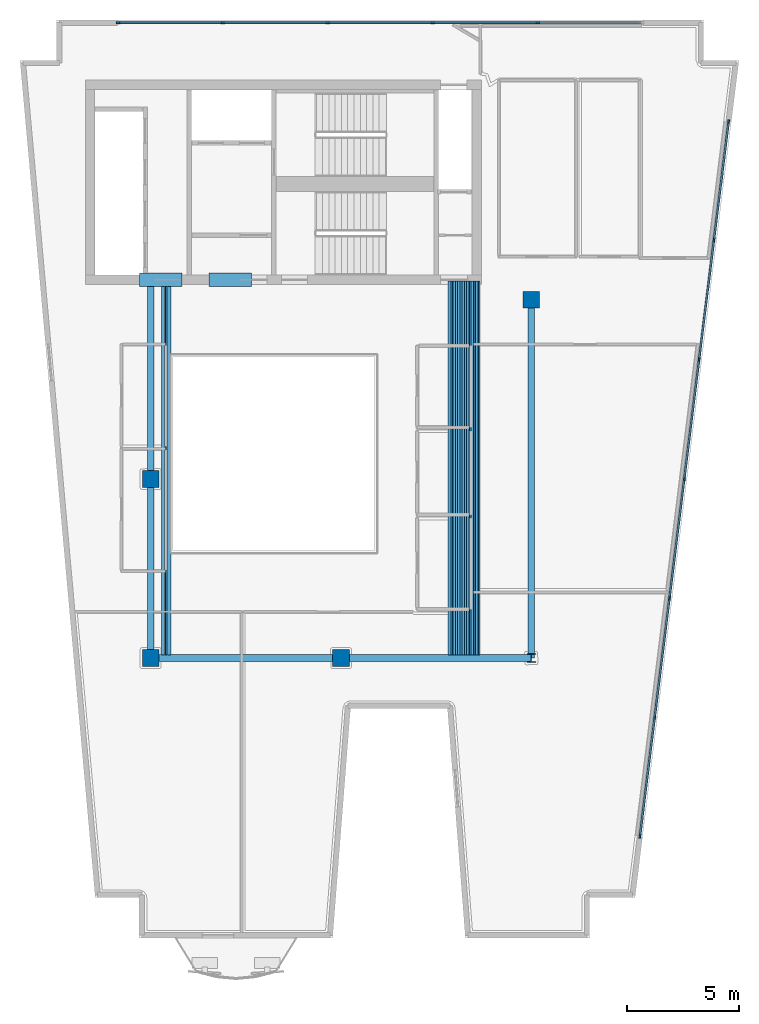
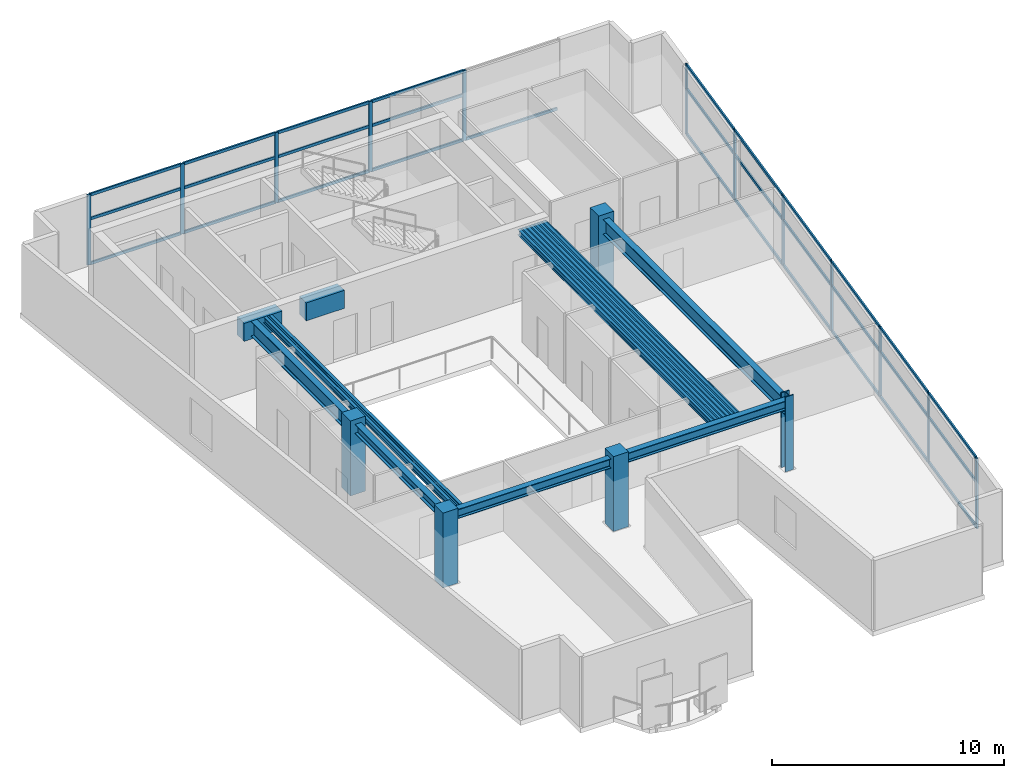
# One storey, part 1 of 8: 43 members, 24 beams, 5 columns, 2 elements without a shape of their own.
"""IFC4 building model written with IfcOpenShell, lengths in metres."""

from ifc_helpers import new_model, si_unit, direction, frame, origin, origin_2d, place, context, subcontext, project, spatial, rectangle, hollow_rectangle, i_section, extrude, material, layer, layer_set, material_profile, profile_set, type_object, element, aggregate, save


model = new_model("IFC4")

# Units and contexts
model_context = context("Model", 3, precision=1e-05, world=origin(), true_north=direction((0.0, 1.0)))
body_context = subcontext(model_context, "Body", "Model", "MODEL_VIEW")
ifc_project = project(units=[si_unit("LENGTHUNIT", "METRE"), si_unit("AREAUNIT", "SQUARE_METRE"), si_unit("VOLUMEUNIT", "CUBIC_METRE"), si_unit("PLANEANGLEUNIT", "RADIAN"), si_unit("MASSUNIT", "GRAM", prefix="KILO")], contexts=[model_context])

# Site, building, storey
site_placement = place(None, origin())
site = spatial("IfcSite", under=ifc_project, at=site_placement, CompositionType="ELEMENT")
building_placement = place(site_placement, origin())
building = spatial("IfcBuilding", under=site, at=building_placement, Name="Caeloran Harvest Quay", CompositionType="ELEMENT")
storey_placement = place(building_placement, frame((0.0, 0.0, 260.64990234375)))
storey = spatial("IfcBuildingStorey", under=building, at=storey_placement, Name="L62", CompositionType="ELEMENT", Elevation=260.64990234375)

# Columns
ifc_material_1 = material(Name="Concrete C60/75", Category="concrete")
ifc_material_profile_1 = material_profile(ifc_material_1, rectangle(XDim=0.75, YDim=0.75, at=origin_2d()), Name="RC 750x750")
ifc_profile_set_1 = profile_set([ifc_material_profile_1], Name="Concrete C60/75")
column_type_1 = type_object("IfcColumnType", Name="COL-MC-5-RC_750x750", PredefinedType="COLUMN", material=ifc_profile_set_1)
for number, where, z_axis, x_axis, name in (
    (1, (8.5, 15.0, 0.0), (0.0, 0.0, 1.0), (1.0, 0.0, 0.0), "L62 Structural Column (8.5, 15.0)"),
    (2, (8.5, 23.0, 0.0), (0.0, 0.0, 1.0), (1.0, 0.0, 0.0), "L62 Structural Column (8.5, 23.0)"),
    (3, (17.0, 15.0, 0.0), (0.0, 0.0, 1.0), (1.0, 0.0, 0.0), "L62 Structural Column (17.0, 15.0)"),
    (4, (25.5, 31.0, 0.0), (0.0, 0.0, 1.0), (1.0, 0.0, 0.0), "L62 Structural Column (25.5, 31.0)"),
):
    element("IfcColumn", number, at=place(storey_placement, frame(where, z_axis=z_axis, x_axis=x_axis)), inside=storey, type_object=column_type_1, Name=name, PredefinedType="COLUMN", context=body_context, shape_type="SweptSolid", body=[
        extrude(rectangle(XDim=0.75, YDim=0.75, at=origin_2d()), origin(), (0.0, 0.0, 1.0), 3.9501953125),
    ])
ifc_material_2 = material(Name="Steel HISTAR 460", Category="steel")
ifc_material_profile_2 = material_profile(ifc_material_2, i_section(OverallWidth=0.406005859375, OverallDepth=0.416015625, WebThickness=0.02978515625, FlangeThickness=0.048095703125, FilletRadius=0.014892578125, at=origin_2d()), Name="HD 400x382")
ifc_profile_set_2 = profile_set([ifc_material_profile_2], Name="Steel HISTAR 460")
column_type_2 = type_object("IfcColumnType", Name="COL-SC-5-HD_400x382", PredefinedType="COLUMN", material=ifc_profile_set_2)
column_placement = place(storey_placement, frame((25.5, 15.0, 0.0), z_axis=(0.0, 0.0, 1.0), x_axis=(1.0, 0.0, 0.0)))
element("IfcColumn", 5, at=column_placement, inside=storey, type_object=column_type_2, Name="L62 Structural Column (25.5, 15.0)", PredefinedType="COLUMN", context=body_context, shape_type="SweptSolid", body=[
    extrude(i_section(OverallWidth=0.406005859375, OverallDepth=0.416015625, WebThickness=0.02978515625, FlangeThickness=0.048095703125, FilletRadius=0.014892578125, at=origin_2d()), origin(), (0.0, 0.0, 1.0), 3.9501953125),
])

# Beams
ifc_material_profile_3 = material_profile(ifc_material_1, rectangle(XDim=0.60009765625, YDim=0.949951171875, at=origin_2d()), Name="RC 600x950")
ifc_profile_set_3 = profile_set([ifc_material_profile_3], Name="Concrete C60/75")
beam_type_1 = type_object("IfcBeamType", Name="BM-CB-2-RC_600x950", PredefinedType="LINTEL", material=ifc_profile_set_3)
for number, where, z_axis, x_axis, name in (
    (6, (8.0, 31.889892578125, 3.22509765625), (1.0, 0.0, 0.0), (0.0, 1.0, 0.0), "L62 Core Coupling Beam 1"),
    (7, (11.10009765625, 31.889892578125, 3.22509765625), (1.0, 0.0, 0.0), (0.0, 1.0, 0.0), "L62 Core Coupling Beam 2"),
):
    element("IfcBeam", number, at=place(storey_placement, frame(where, z_axis=z_axis, x_axis=x_axis)), inside=storey, type_object=beam_type_1, Name=name, PredefinedType="LINTEL", context=body_context, shape_type="SweptSolid", body=[
        extrude(rectangle(XDim=0.60009765625, YDim=0.949951171875, at=origin_2d()), origin(), (0.0, 0.0, 1.0), 1.89990234375),
    ])
ifc_material_3 = material(Name="Steel S355J2", Category="steel")
ifc_material_profile_4 = material_profile(ifc_material_3, i_section(OverallWidth=0.300048828125, OverallDepth=0.800048828125, WebThickness=0.017578125, FlangeThickness=0.032958984375, FilletRadius=0.030029296875, at=origin_2d()), Name="HE 800 B")
ifc_profile_set_4 = profile_set([ifc_material_profile_4], Name="Steel S355J2")
beam_type_2 = type_object("IfcBeamType", Name="BM-PG-1-HE_800_B", PredefinedType="BEAM", material=ifc_profile_set_4)
beam_1_placement = place(storey_placement, frame((8.5, 23.0, 3.300048828125), z_axis=(0.0, 1.0, 0.0), x_axis=(-1.0, 0.0, 0.0)))
element("IfcBeam", 8, at=beam_1_placement, inside=storey, type_object=beam_type_2, Name="L62 Core South Tie Girder X=8.5", PredefinedType="BEAM", context=body_context, shape_type="SweptSolid", body=[
    extrude(i_section(OverallWidth=0.300048828125, OverallDepth=0.800048828125, WebThickness=0.017578125, FlangeThickness=0.032958984375, FilletRadius=0.030029296875, at=origin_2d()), origin(), (0.0, 0.0, 1.0), 8.840087890625),
])
beam_2_placement = place(storey_placement, frame((25.5, 15.0, 3.300048828125), z_axis=(0.0, 1.0, 0.0), x_axis=(-1.0, 0.0, 0.0)))
element("IfcBeam", 9, at=beam_2_placement, inside=storey, type_object=beam_type_2, Name="L62 Primary North-South Girder X=25.5", PredefinedType="BEAM", context=body_context, shape_type="SweptSolid", body=[
    extrude(i_section(OverallWidth=0.300048828125, OverallDepth=0.800048828125, WebThickness=0.017578125, FlangeThickness=0.032958984375, FilletRadius=0.030029296875, at=origin_2d()), origin(), (0.0, 0.0, 1.0), 16.0),
])
ifc_material_profile_5 = material_profile(ifc_material_3, i_section(OverallWidth=0.300048828125, OverallDepth=0.5, WebThickness=0.014404296875, FlangeThickness=0.028076171875, FilletRadius=0.027099609375, at=origin_2d()), Name="HE 500 B")
ifc_profile_set_5 = profile_set([ifc_material_profile_5], Name="Steel S355J2")
beam_type_3 = type_object("IfcBeamType", Name="BM-PG-4-HE_500_B", PredefinedType="BEAM", material=ifc_profile_set_5)
for number, where, z_axis, x_axis, name in (
    (10, (8.5, 15.0, 3.4501953125), (1.0, 0.0, 0.0), (0.0, 1.0, 0.0), "L62 Primary East-West Girder Y=15.0"),
    (11, (17.0, 15.0, 3.4501953125), (1.0, 0.0, 0.0), (0.0, 1.0, 0.0), "L62 Primary East-West Girder Y=15.0"),
):
    element("IfcBeam", number, at=place(storey_placement, frame(where, z_axis=z_axis, x_axis=x_axis)), inside=storey, type_object=beam_type_3, Name=name, PredefinedType="BEAM", context=body_context, shape_type="SweptSolid", body=[
        extrude(i_section(OverallWidth=0.300048828125, OverallDepth=0.5, WebThickness=0.014404296875, FlangeThickness=0.028076171875, FilletRadius=0.027099609375, at=origin_2d()), origin(), (0.0, 0.0, 1.0), 8.5),
    ])
beam_3_placement = place(storey_placement, frame((8.5, 15.0, 3.4501953125), z_axis=(0.0, 1.0, 0.0), x_axis=(-1.0, 0.0, 0.0)))
element("IfcBeam", 12, at=beam_3_placement, inside=storey, type_object=beam_type_3, Name="L62 Primary North-South Girder X=8.5", PredefinedType="BEAM", context=body_context, shape_type="SweptSolid", body=[
    extrude(i_section(OverallWidth=0.300048828125, OverallDepth=0.5, WebThickness=0.014404296875, FlangeThickness=0.028076171875, FilletRadius=0.027099609375, at=origin_2d()), origin(), (0.0, 0.0, 1.0), 8.0),
])
ifc_material_profile_6 = material_profile(ifc_material_3, i_section(OverallWidth=0.14990234375, OverallDepth=0.300048828125, WebThickness=0.007080078125, FlangeThickness=0.0107421875, FilletRadius=0.014892578125, at=origin_2d()), Name="IPE 300")
ifc_profile_set_6 = profile_set([ifc_material_profile_6], Name="Steel S355J2")
beam_type_4 = type_object("IfcBeamType", Name="BM-SB-6-IPE_300", PredefinedType="JOIST", material=ifc_profile_set_6)
for number, where, z_axis, x_axis, name in (
    (13, (9.04833984375, 15.14501953125, 3.550048828125), (0.0, 1.0, 0.0), (-1.0, 0.0, 0.0), "L62 Secondary Composite Joist"),
    (14, (9.322509765625, 15.14501953125, 3.550048828125), (0.0, 1.0, 0.0), (-1.0, 0.0, 0.0), "L62 Secondary Composite Joist"),
    (15, (21.854248046875, 15.14501953125, 3.550048828125), (0.0, 1.0, 0.0), (-1.0, 0.0, 0.0), "L62 Secondary Composite Joist"),
    (16, (22.056396484375, 15.14501953125, 3.550048828125), (0.0, 1.0, 0.0), (-1.0, 0.0, 0.0), "L62 Secondary Composite Joist"),
    (17, (22.2587890625, 15.14501953125, 3.550048828125), (0.0, 1.0, 0.0), (-1.0, 0.0, 0.0), "L62 Secondary Composite Joist"),
    (18, (22.4609375, 15.14501953125, 3.550048828125), (0.0, 1.0, 0.0), (-1.0, 0.0, 0.0), "L62 Secondary Composite Joist"),
    (19, (22.6630859375, 15.14501953125, 3.550048828125), (0.0, 1.0, 0.0), (-1.0, 0.0, 0.0), "L62 Secondary Composite Joist"),
    (20, (22.865478515625, 15.14501953125, 3.550048828125), (0.0, 1.0, 0.0), (-1.0, 0.0, 0.0), "L62 Secondary Composite Joist"),
    (21, (23.067626953125, 15.14501953125, 3.550048828125), (0.0, 1.0, 0.0), (-1.0, 0.0, 0.0), "L62 Secondary Composite Joist"),
):
    element("IfcBeam", number, at=place(storey_placement, frame(where, z_axis=z_axis, x_axis=x_axis)), inside=storey, type_object=beam_type_4, Name=name, PredefinedType="JOIST", context=body_context, shape_type="SweptSolid", body=[
        extrude(i_section(OverallWidth=0.14990234375, OverallDepth=0.300048828125, WebThickness=0.007080078125, FlangeThickness=0.0107421875, FilletRadius=0.014892578125, at=origin_2d()), origin(), (0.0, 0.0, 1.0), 16.695068359375),
    ])
ifc_material_profile_7 = material_profile(ifc_material_3, hollow_rectangle(XDim=0.080078125, YDim=0.199951171875, WallThickness=0.006103515625, InnerFilletRadius=0.006103515625, OuterFilletRadius=0.009033203125, at=origin_2d()), Name="RHS 200x80x6")
ifc_profile_set_7 = profile_set([ifc_material_profile_7], Name="Steel S355J2")
beam_type_5 = type_object("IfcBeamType", Name="BM-SB-7-RHS_200x80x6", PredefinedType="JOIST", material=ifc_profile_set_7)
for number, where, z_axis, x_axis, name in (
    (22, (9.185546875, 15.14501953125, 3.60009765625), (0.0, 1.0, 0.0), (-1.0, 0.0, 0.0), "L62 Secondary Composite Joist"),
    (23, (21.955322265625, 15.14501953125, 3.60009765625), (0.0, 1.0, 0.0), (-1.0, 0.0, 0.0), "L62 Secondary Composite Joist"),
    (24, (22.15771484375, 15.14501953125, 3.60009765625), (0.0, 1.0, 0.0), (-1.0, 0.0, 0.0), "L62 Secondary Composite Joist"),
    (25, (22.35986328125, 15.14501953125, 3.60009765625), (0.0, 1.0, 0.0), (-1.0, 0.0, 0.0), "L62 Secondary Composite Joist"),
    (26, (22.56201171875, 15.14501953125, 3.60009765625), (0.0, 1.0, 0.0), (-1.0, 0.0, 0.0), "L62 Secondary Composite Joist"),
    (27, (22.764404296875, 15.14501953125, 3.60009765625), (0.0, 1.0, 0.0), (-1.0, 0.0, 0.0), "L62 Secondary Composite Joist"),
    (28, (22.966552734375, 15.14501953125, 3.60009765625), (0.0, 1.0, 0.0), (-1.0, 0.0, 0.0), "L62 Secondary Composite Joist"),
    (29, (23.1689453125, 15.14501953125, 3.60009765625), (0.0, 1.0, 0.0), (-1.0, 0.0, 0.0), "L62 Secondary Composite Joist"),
):
    element("IfcBeam", number, at=place(storey_placement, frame(where, z_axis=z_axis, x_axis=x_axis)), inside=storey, type_object=beam_type_5, Name=name, PredefinedType="JOIST", context=body_context, shape_type="SweptSolid", body=[
        extrude(hollow_rectangle(XDim=0.080078125, YDim=0.199951171875, WallThickness=0.006103515625, InnerFilletRadius=0.006103515625, OuterFilletRadius=0.009033203125, at=origin_2d()), origin(), (0.0, 0.0, 1.0), 16.695068359375),
    ])

# Curtain wall, members
ifc_material_4 = material(Name="Aluminium 6063-T6 and Low-E Glazing", Category="aluminium")
ifc_layer = layer(ifc_material_4, 0.219970703125, Name="Aluminium 6063-T6 and Low-E Glazing")
ifc_layer_set = layer_set([ifc_layer], Name="Aluminium 6063-T6 and Low-E Glazing")
curtain_wall_type = type_object("IfcCurtainWallType", Name="CW-SYS-CW-5", PredefinedType="USERDEFINED", material=ifc_layer_set)
curtain_wall_1_placement = place(storey_placement, origin())
curtain_wall_1 = element("IfcCurtainWall", 30, at=curtain_wall_1_placement, inside=storey, type_object=curtain_wall_type, Name="L62 Unitised Curtain Wall CW-5 Run 6", ObjectType="CURTAIN_WALL", PredefinedType="USERDEFINED")
ifc_material_5 = material(Name="Aluminium 6063-T6", Category="aluminium")
ifc_material_profile_8 = material_profile(ifc_material_5, rectangle(XDim=0.080078125, YDim=0.179931640625, at=origin_2d()), Name="CW-MULLION-180")
ifc_profile_set_8 = profile_set([ifc_material_profile_8], Name="Aluminium 6063-T6")
member_type_1 = type_object("IfcMemberType", Name="CW-MULLION-180", PredefinedType="MULLION", material=ifc_profile_set_8)
member_1_placement = place(storey_placement, frame((7.06005859375, 43.3798828125, 0.0), z_axis=(0.0, 0.0, 1.0), x_axis=(0.0, 1.0, 0.0)))
member_1 = element("IfcMember", 31, at=member_1_placement, type_object=member_type_1, Name="CW-5 mullion 1", PredefinedType="MULLION", context=body_context, shape_type="SweptSolid", body=[
    extrude(rectangle(XDim=0.080078125, YDim=0.179931640625, at=origin_2d()), origin(), (0.0, 0.0, 1.0), 3.7001953125),
])
member_2_placement = place(storey_placement, frame((11.7119140625, 43.3798828125, 0.0), z_axis=(0.0, 0.0, 1.0), x_axis=(0.0, 1.0, 0.0)))
member_2 = element("IfcMember", 32, at=member_2_placement, type_object=member_type_1, Name="CW-5 mullion 2", PredefinedType="MULLION", context=body_context, shape_type="SweptSolid", body=[
    extrude(rectangle(XDim=0.080078125, YDim=0.179931640625, at=origin_2d()), origin(), (0.0, 0.0, 1.0), 3.7001953125),
])
member_3_placement = place(storey_placement, frame((16.404052734375, 43.3798828125, 0.0), z_axis=(0.0, 0.0, 1.0), x_axis=(0.0, 1.0, 0.0)))
member_3 = element("IfcMember", 33, at=member_3_placement, type_object=member_type_1, Name="CW-5 mullion 3", PredefinedType="MULLION", context=body_context, shape_type="SweptSolid", body=[
    extrude(rectangle(XDim=0.080078125, YDim=0.179931640625, at=origin_2d()), origin(), (0.0, 0.0, 1.0), 3.7001953125),
])
member_4_placement = place(storey_placement, frame((21.095947265625, 43.3798828125, 0.0), z_axis=(0.0, 0.0, 1.0), x_axis=(0.0, 1.0, 0.0)))
member_4 = element("IfcMember", 34, at=member_4_placement, type_object=member_type_1, Name="CW-5 mullion 4", PredefinedType="MULLION", context=body_context, shape_type="SweptSolid", body=[
    extrude(rectangle(XDim=0.080078125, YDim=0.179931640625, at=origin_2d()), origin(), (0.0, 0.0, 1.0), 3.7001953125),
])
member_5_placement = place(storey_placement, frame((25.7880859375, 43.3798828125, 0.0), z_axis=(0.0, 0.0, 1.0), x_axis=(0.0, 1.0, 0.0)))
member_5 = element("IfcMember", 35, at=member_5_placement, type_object=member_type_1, Name="CW-5 mullion 5", PredefinedType="MULLION", context=body_context, shape_type="SweptSolid", body=[
    extrude(rectangle(XDim=0.080078125, YDim=0.179931640625, at=origin_2d()), origin(), (0.0, 0.0, 1.0), 3.7001953125),
])

curtain_wall_2_placement = place(storey_placement, origin())
curtain_wall_2 = element("IfcCurtainWall", 36, at=curtain_wall_2_placement, inside=storey, type_object=curtain_wall_type, Name="L62 Unitised Curtain Wall CW-5 Run 9", ObjectType="CURTAIN_WALL", PredefinedType="USERDEFINED")
member_6_placement = place(storey_placement, frame((34.315673828125, 38.960205078125, 0.0), z_axis=(0.0, 0.0, 1.0), x_axis=(0.992383054958, -0.123190390176, 0.0)))
member_6 = element("IfcMember", 37, at=member_6_placement, type_object=member_type_1, Name="CW-5 mullion 1", PredefinedType="MULLION", context=body_context, shape_type="SweptSolid", body=[
    extrude(rectangle(XDim=0.080078125, YDim=0.179931640625, at=origin_2d()), origin(), (0.0, 0.0, 1.0), 3.7001953125),
])
member_7_placement = place(storey_placement, frame((33.658447265625, 33.66650390625, 0.0), z_axis=(0.0, 0.0, 1.0), x_axis=(0.992383054958, -0.123190390176, 0.0)))
member_7 = element("IfcMember", 38, at=member_7_placement, type_object=member_type_1, Name="CW-5 mullion 2", PredefinedType="MULLION", context=body_context, shape_type="SweptSolid", body=[
    extrude(rectangle(XDim=0.080078125, YDim=0.179931640625, at=origin_2d()), origin(), (0.0, 0.0, 1.0), 3.7001953125),
])
member_8_placement = place(storey_placement, frame((32.996337890625, 28.333251953125, 0.0), z_axis=(0.0, 0.0, 1.0), x_axis=(0.992383054958, -0.123190390176, 0.0)))
member_8 = element("IfcMember", 39, at=member_8_placement, type_object=member_type_1, Name="CW-5 mullion 3", PredefinedType="MULLION", context=body_context, shape_type="SweptSolid", body=[
    extrude(rectangle(XDim=0.080078125, YDim=0.179931640625, at=origin_2d()), origin(), (0.0, 0.0, 1.0), 3.7001953125),
])
member_9_placement = place(storey_placement, frame((32.334228515625, 23.0, 0.0), z_axis=(0.0, 0.0, 1.0), x_axis=(0.992383054958, -0.123190390176, 0.0)))
member_9 = element("IfcMember", 40, at=member_9_placement, type_object=member_type_1, Name="CW-5 mullion 4", PredefinedType="MULLION", context=body_context, shape_type="SweptSolid", body=[
    extrude(rectangle(XDim=0.080078125, YDim=0.179931640625, at=origin_2d()), origin(), (0.0, 0.0, 1.0), 3.7001953125),
])
member_10_placement = place(storey_placement, frame((31.67236328125, 17.666748046875, 0.0), z_axis=(0.0, 0.0, 1.0), x_axis=(0.992383054958, -0.123190390176, 0.0)))
member_10 = element("IfcMember", 41, at=member_10_placement, type_object=member_type_1, Name="CW-5 mullion 5", PredefinedType="MULLION", context=body_context, shape_type="SweptSolid", body=[
    extrude(rectangle(XDim=0.080078125, YDim=0.179931640625, at=origin_2d()), origin(), (0.0, 0.0, 1.0), 3.7001953125),
])
member_11_placement = place(storey_placement, frame((31.01025390625, 12.33349609375, 0.0), z_axis=(0.0, 0.0, 1.0), x_axis=(0.992383054958, -0.123190390176, 0.0)))
member_11 = element("IfcMember", 42, at=member_11_placement, type_object=member_type_1, Name="CW-5 mullion 6", PredefinedType="MULLION", context=body_context, shape_type="SweptSolid", body=[
    extrude(rectangle(XDim=0.080078125, YDim=0.179931640625, at=origin_2d()), origin(), (0.0, 0.0, 1.0), 3.7001953125),
])
member_12_placement = place(storey_placement, frame((30.35302734375, 7.039794921875, 0.0), z_axis=(0.0, 0.0, 1.0), x_axis=(0.992383054958, -0.123190390176, 0.0)))
member_12 = element("IfcMember", 43, at=member_12_placement, type_object=member_type_1, Name="CW-5 mullion 7", PredefinedType="MULLION", context=body_context, shape_type="SweptSolid", body=[
    extrude(rectangle(XDim=0.080078125, YDim=0.179931640625, at=origin_2d()), origin(), (0.0, 0.0, 1.0), 3.7001953125),
])

# Member
ifc_material_profile_9 = material_profile(ifc_material_5, rectangle(XDim=0.080078125, YDim=0.14990234375, at=origin_2d()), Name="CW-TRANSOM-150")
ifc_profile_set_9 = profile_set([ifc_material_profile_9], Name="Aluminium 6063-T6")
member_type_2 = type_object("IfcMemberType", Name="CW-TRANSOM-150", PredefinedType="USERDEFINED", material=ifc_profile_set_9)
member_13_placement = place(storey_placement, frame((7.10009765625, 43.3798828125, 0.0400390625), z_axis=(1.0, 0.0, 0.0), x_axis=(0.0, 1.0, 0.0)))
member_13 = element("IfcMember", 44, at=member_13_placement, type_object=member_type_2, Name="CW-5 transom 1.1", ObjectType="TRANSOM", PredefinedType="USERDEFINED", context=body_context, shape_type="SweptSolid", body=[
    extrude(rectangle(XDim=0.080078125, YDim=0.14990234375, at=origin_2d()), origin(), (0.0, 0.0, 1.0), 4.572021484375),
])

member_14_placement = place(storey_placement, frame((7.10009765625, 43.3798828125, 2.400146484375), z_axis=(1.0, 0.0, 0.0), x_axis=(0.0, 1.0, 0.0)))
member_14 = element("IfcMember", 45, at=member_14_placement, type_object=member_type_2, Name="CW-5 transom 1.2", ObjectType="TRANSOM", PredefinedType="USERDEFINED", context=body_context, shape_type="SweptSolid", body=[
    extrude(rectangle(XDim=0.080078125, YDim=0.14990234375, at=origin_2d()), origin(), (0.0, 0.0, 1.0), 4.572021484375),
])

member_15_placement = place(storey_placement, frame((7.10009765625, 43.3798828125, 3.66015625), z_axis=(1.0, 0.0, 0.0), x_axis=(0.0, 1.0, 0.0)))
member_15 = element("IfcMember", 46, at=member_15_placement, type_object=member_type_2, Name="CW-5 transom 1.3", ObjectType="TRANSOM", PredefinedType="USERDEFINED", context=body_context, shape_type="SweptSolid", body=[
    extrude(rectangle(XDim=0.080078125, YDim=0.14990234375, at=origin_2d()), origin(), (0.0, 0.0, 1.0), 4.572021484375),
])

member_16_placement = place(storey_placement, frame((11.751953125, 43.3798828125, 0.0400390625), z_axis=(1.0, 0.0, 0.0), x_axis=(0.0, 1.0, 0.0)))
member_16 = element("IfcMember", 47, at=member_16_placement, type_object=member_type_2, Name="CW-5 transom 2.1", ObjectType="TRANSOM", PredefinedType="USERDEFINED", context=body_context, shape_type="SweptSolid", body=[
    extrude(rectangle(XDim=0.080078125, YDim=0.14990234375, at=origin_2d()), origin(), (0.0, 0.0, 1.0), 4.612060546875),
])

member_17_placement = place(storey_placement, frame((11.751953125, 43.3798828125, 2.400146484375), z_axis=(1.0, 0.0, 0.0), x_axis=(0.0, 1.0, 0.0)))
member_17 = element("IfcMember", 48, at=member_17_placement, type_object=member_type_2, Name="CW-5 transom 2.2", ObjectType="TRANSOM", PredefinedType="USERDEFINED", context=body_context, shape_type="SweptSolid", body=[
    extrude(rectangle(XDim=0.080078125, YDim=0.14990234375, at=origin_2d()), origin(), (0.0, 0.0, 1.0), 4.612060546875),
])

member_18_placement = place(storey_placement, frame((11.751953125, 43.3798828125, 3.66015625), z_axis=(1.0, 0.0, 0.0), x_axis=(0.0, 1.0, 0.0)))
member_18 = element("IfcMember", 49, at=member_18_placement, type_object=member_type_2, Name="CW-5 transom 2.3", ObjectType="TRANSOM", PredefinedType="USERDEFINED", context=body_context, shape_type="SweptSolid", body=[
    extrude(rectangle(XDim=0.080078125, YDim=0.14990234375, at=origin_2d()), origin(), (0.0, 0.0, 1.0), 4.612060546875),
])

member_19_placement = place(storey_placement, frame((16.444091796875, 43.3798828125, 0.0400390625), z_axis=(1.0, 0.0, 0.0), x_axis=(0.0, 1.0, 0.0)))
member_19 = element("IfcMember", 50, at=member_19_placement, type_object=member_type_2, Name="CW-5 transom 3.1", ObjectType="TRANSOM", PredefinedType="USERDEFINED", context=body_context, shape_type="SweptSolid", body=[
    extrude(rectangle(XDim=0.080078125, YDim=0.14990234375, at=origin_2d()), origin(), (0.0, 0.0, 1.0), 4.61181640625),
])

member_20_placement = place(storey_placement, frame((16.444091796875, 43.3798828125, 2.400146484375), z_axis=(1.0, 0.0, 0.0), x_axis=(0.0, 1.0, 0.0)))
member_20 = element("IfcMember", 51, at=member_20_placement, type_object=member_type_2, Name="CW-5 transom 3.2", ObjectType="TRANSOM", PredefinedType="USERDEFINED", context=body_context, shape_type="SweptSolid", body=[
    extrude(rectangle(XDim=0.080078125, YDim=0.14990234375, at=origin_2d()), origin(), (0.0, 0.0, 1.0), 4.61181640625),
])

member_21_placement = place(storey_placement, frame((16.444091796875, 43.3798828125, 3.66015625), z_axis=(1.0, 0.0, 0.0), x_axis=(0.0, 1.0, 0.0)))
member_21 = element("IfcMember", 52, at=member_21_placement, type_object=member_type_2, Name="CW-5 transom 3.3", ObjectType="TRANSOM", PredefinedType="USERDEFINED", context=body_context, shape_type="SweptSolid", body=[
    extrude(rectangle(XDim=0.080078125, YDim=0.14990234375, at=origin_2d()), origin(), (0.0, 0.0, 1.0), 4.61181640625),
])

member_22_placement = place(storey_placement, frame((21.135986328125, 43.3798828125, 0.0400390625), z_axis=(1.0, 0.0, 0.0), x_axis=(0.0, 1.0, 0.0)))
member_22 = element("IfcMember", 53, at=member_22_placement, type_object=member_type_2, Name="CW-5 transom 4.1", ObjectType="TRANSOM", PredefinedType="USERDEFINED", context=body_context, shape_type="SweptSolid", body=[
    extrude(rectangle(XDim=0.080078125, YDim=0.14990234375, at=origin_2d()), origin(), (0.0, 0.0, 1.0), 4.612060546875),
])

member_23_placement = place(storey_placement, frame((21.135986328125, 43.3798828125, 2.400146484375), z_axis=(1.0, 0.0, 0.0), x_axis=(0.0, 1.0, 0.0)))
member_23 = element("IfcMember", 54, at=member_23_placement, type_object=member_type_2, Name="CW-5 transom 4.2", ObjectType="TRANSOM", PredefinedType="USERDEFINED", context=body_context, shape_type="SweptSolid", body=[
    extrude(rectangle(XDim=0.080078125, YDim=0.14990234375, at=origin_2d()), origin(), (0.0, 0.0, 1.0), 4.612060546875),
])

member_24_placement = place(storey_placement, frame((21.135986328125, 43.3798828125, 3.66015625), z_axis=(1.0, 0.0, 0.0), x_axis=(0.0, 1.0, 0.0)))
member_24 = element("IfcMember", 55, at=member_24_placement, type_object=member_type_2, Name="CW-5 transom 4.3", ObjectType="TRANSOM", PredefinedType="USERDEFINED", context=body_context, shape_type="SweptSolid", body=[
    extrude(rectangle(XDim=0.080078125, YDim=0.14990234375, at=origin_2d()), origin(), (0.0, 0.0, 1.0), 4.612060546875),
])

member_25_placement = place(storey_placement, frame((25.827880859375, 43.3798828125, 0.0400390625), z_axis=(1.0, 0.0, 0.0), x_axis=(0.0, 1.0, 0.0)))
member_25 = element("IfcMember", 56, at=member_25_placement, type_object=member_type_2, Name="CW-5 transom 5.1", ObjectType="TRANSOM", PredefinedType="USERDEFINED", context=body_context, shape_type="SweptSolid", body=[
    extrude(rectangle(XDim=0.080078125, YDim=0.14990234375, at=origin_2d()), origin(), (0.0, 0.0, 1.0), 4.572021484375),
])

aggregate(curtain_wall_1, [member_1, member_2, member_3, member_4, member_5, member_13, member_14, member_15, member_16, member_17, member_18, member_19, member_20, member_21, member_22, member_23, member_24, member_25])

member_26_placement = place(storey_placement, frame((34.310546875, 38.92041015625, 0.0400390625), z_axis=(-0.123182565602, -0.992384026238, 0.0), x_axis=(0.992384026238, -0.123182565602, 0.0)))
member_26 = element("IfcMember", 57, at=member_26_placement, type_object=member_type_2, Name="CW-5 transom 1.1", ObjectType="TRANSOM", PredefinedType="USERDEFINED", context=body_context, shape_type="SweptSolid", body=[
    extrude(rectangle(XDim=0.080078125, YDim=0.14990234375, at=origin_2d()), origin(), (0.0, 0.0, 1.0), 5.254150390625),
])

member_27_placement = place(storey_placement, frame((34.310546875, 38.92041015625, 2.400146484375), z_axis=(-0.123182565602, -0.992384026238, 0.0), x_axis=(0.992384026238, -0.123182565602, 0.0)))
member_27 = element("IfcMember", 58, at=member_27_placement, type_object=member_type_2, Name="CW-5 transom 1.2", ObjectType="TRANSOM", PredefinedType="USERDEFINED", context=body_context, shape_type="SweptSolid", body=[
    extrude(rectangle(XDim=0.080078125, YDim=0.14990234375, at=origin_2d()), origin(), (0.0, 0.0, 1.0), 5.254150390625),
])

member_28_placement = place(storey_placement, frame((34.310546875, 38.92041015625, 3.66015625), z_axis=(-0.123182565602, -0.992384026238, 0.0), x_axis=(0.992384026238, -0.123182565602, 0.0)))
member_28 = element("IfcMember", 59, at=member_28_placement, type_object=member_type_2, Name="CW-5 transom 1.3", ObjectType="TRANSOM", PredefinedType="USERDEFINED", context=body_context, shape_type="SweptSolid", body=[
    extrude(rectangle(XDim=0.080078125, YDim=0.14990234375, at=origin_2d()), origin(), (0.0, 0.0, 1.0), 5.254150390625),
])

member_29_placement = place(storey_placement, frame((33.653564453125, 33.626953125, 0.0400390625), z_axis=(-0.12321740526, -0.992379701042, 0.0), x_axis=(0.992379701042, -0.12321740526, 0.0)))
member_29 = element("IfcMember", 60, at=member_29_placement, type_object=member_type_2, Name="CW-5 transom 2.1", ObjectType="TRANSOM", PredefinedType="USERDEFINED", context=body_context, shape_type="SweptSolid", body=[
    extrude(rectangle(XDim=0.080078125, YDim=0.14990234375, at=origin_2d()), origin(), (0.0, 0.0, 1.0), 5.294189453125),
])

member_30_placement = place(storey_placement, frame((33.653564453125, 33.626953125, 2.400146484375), z_axis=(-0.12321740526, -0.992379701042, 0.0), x_axis=(0.992379701042, -0.12321740526, 0.0)))
member_30 = element("IfcMember", 61, at=member_30_placement, type_object=member_type_2, Name="CW-5 transom 2.2", ObjectType="TRANSOM", PredefinedType="USERDEFINED", context=body_context, shape_type="SweptSolid", body=[
    extrude(rectangle(XDim=0.080078125, YDim=0.14990234375, at=origin_2d()), origin(), (0.0, 0.0, 1.0), 5.294189453125),
])

member_31_placement = place(storey_placement, frame((33.653564453125, 33.626953125, 3.66015625), z_axis=(-0.12321740526, -0.992379701042, 0.0), x_axis=(0.992379701042, -0.12321740526, 0.0)))
member_31 = element("IfcMember", 62, at=member_31_placement, type_object=member_type_2, Name="CW-5 transom 2.3", ObjectType="TRANSOM", PredefinedType="USERDEFINED", context=body_context, shape_type="SweptSolid", body=[
    extrude(rectangle(XDim=0.080078125, YDim=0.14990234375, at=origin_2d()), origin(), (0.0, 0.0, 1.0), 5.294189453125),
])

member_32_placement = place(storey_placement, frame((32.991455078125, 28.29345703125, 0.0400390625), z_axis=(-0.123177627733, -0.992384639153, 0.0), x_axis=(0.992384639153, -0.123177627733, 0.0)))
member_32 = element("IfcMember", 63, at=member_32_placement, type_object=member_type_2, Name="CW-5 transom 3.1", ObjectType="TRANSOM", PredefinedType="USERDEFINED", context=body_context, shape_type="SweptSolid", body=[
    extrude(rectangle(XDim=0.080078125, YDim=0.14990234375, at=origin_2d()), origin(), (0.0, 0.0, 1.0), 5.2939453125),
])

member_33_placement = place(storey_placement, frame((32.991455078125, 28.29345703125, 2.400146484375), z_axis=(-0.123177627733, -0.992384639153, 0.0), x_axis=(0.992384639153, -0.123177627733, 0.0)))
member_33 = element("IfcMember", 64, at=member_33_placement, type_object=member_type_2, Name="CW-5 transom 3.2", ObjectType="TRANSOM", PredefinedType="USERDEFINED", context=body_context, shape_type="SweptSolid", body=[
    extrude(rectangle(XDim=0.080078125, YDim=0.14990234375, at=origin_2d()), origin(), (0.0, 0.0, 1.0), 5.2939453125),
])

member_34_placement = place(storey_placement, frame((32.991455078125, 28.29345703125, 3.66015625), z_axis=(-0.123177627733, -0.992384639153, 0.0), x_axis=(0.992384639153, -0.123177627733, 0.0)))
member_34 = element("IfcMember", 65, at=member_34_placement, type_object=member_type_2, Name="CW-5 transom 3.3", ObjectType="TRANSOM", PredefinedType="USERDEFINED", context=body_context, shape_type="SweptSolid", body=[
    extrude(rectangle(XDim=0.080078125, YDim=0.14990234375, at=origin_2d()), origin(), (0.0, 0.0, 1.0), 5.2939453125),
])

member_35_placement = place(storey_placement, frame((32.329345703125, 22.960205078125, 0.0400390625), z_axis=(-0.123177627733, -0.992384639153, 0.0), x_axis=(0.992384639153, -0.123177627733, 0.0)))
member_35 = element("IfcMember", 66, at=member_35_placement, type_object=member_type_2, Name="CW-5 transom 4.1", ObjectType="TRANSOM", PredefinedType="USERDEFINED", context=body_context, shape_type="SweptSolid", body=[
    extrude(rectangle(XDim=0.080078125, YDim=0.14990234375, at=origin_2d()), origin(), (0.0, 0.0, 1.0), 5.2939453125),
])

member_36_placement = place(storey_placement, frame((32.329345703125, 22.960205078125, 2.400146484375), z_axis=(-0.123177627733, -0.992384639153, 0.0), x_axis=(0.992384639153, -0.123177627733, 0.0)))
member_36 = element("IfcMember", 67, at=member_36_placement, type_object=member_type_2, Name="CW-5 transom 4.2", ObjectType="TRANSOM", PredefinedType="USERDEFINED", context=body_context, shape_type="SweptSolid", body=[
    extrude(rectangle(XDim=0.080078125, YDim=0.14990234375, at=origin_2d()), origin(), (0.0, 0.0, 1.0), 5.2939453125),
])

member_37_placement = place(storey_placement, frame((32.329345703125, 22.960205078125, 3.66015625), z_axis=(-0.123177627733, -0.992384639153, 0.0), x_axis=(0.992384639153, -0.123177627733, 0.0)))
member_37 = element("IfcMember", 68, at=member_37_placement, type_object=member_type_2, Name="CW-5 transom 4.3", ObjectType="TRANSOM", PredefinedType="USERDEFINED", context=body_context, shape_type="SweptSolid", body=[
    extrude(rectangle(XDim=0.080078125, YDim=0.14990234375, at=origin_2d()), origin(), (0.0, 0.0, 1.0), 5.2939453125),
])

member_38_placement = place(storey_placement, frame((31.66748046875, 17.626953125, 0.0400390625), z_axis=(-0.12321740526, -0.992379701042, 0.0), x_axis=(0.992379701042, -0.12321740526, 0.0)))
member_38 = element("IfcMember", 69, at=member_38_placement, type_object=member_type_2, Name="CW-5 transom 5.1", ObjectType="TRANSOM", PredefinedType="USERDEFINED", context=body_context, shape_type="SweptSolid", body=[
    extrude(rectangle(XDim=0.080078125, YDim=0.14990234375, at=origin_2d()), origin(), (0.0, 0.0, 1.0), 5.294189453125),
])

member_39_placement = place(storey_placement, frame((31.66748046875, 17.626953125, 2.400146484375), z_axis=(-0.12321740526, -0.992379701042, 0.0), x_axis=(0.992379701042, -0.12321740526, 0.0)))
member_39 = element("IfcMember", 70, at=member_39_placement, type_object=member_type_2, Name="CW-5 transom 5.2", ObjectType="TRANSOM", PredefinedType="USERDEFINED", context=body_context, shape_type="SweptSolid", body=[
    extrude(rectangle(XDim=0.080078125, YDim=0.14990234375, at=origin_2d()), origin(), (0.0, 0.0, 1.0), 5.294189453125),
])

member_40_placement = place(storey_placement, frame((31.66748046875, 17.626953125, 3.66015625), z_axis=(-0.12321740526, -0.992379701042, 0.0), x_axis=(0.992379701042, -0.12321740526, 0.0)))
member_40 = element("IfcMember", 71, at=member_40_placement, type_object=member_type_2, Name="CW-5 transom 5.3", ObjectType="TRANSOM", PredefinedType="USERDEFINED", context=body_context, shape_type="SweptSolid", body=[
    extrude(rectangle(XDim=0.080078125, YDim=0.14990234375, at=origin_2d()), origin(), (0.0, 0.0, 1.0), 5.294189453125),
])

member_41_placement = place(storey_placement, frame((31.00537109375, 12.293701171875, 0.0400390625), z_axis=(-0.123182565602, -0.992384026238, 0.0), x_axis=(0.992384026238, -0.123182565602, 0.0)))
member_41 = element("IfcMember", 72, at=member_41_placement, type_object=member_type_2, Name="CW-5 transom 6.1", ObjectType="TRANSOM", PredefinedType="USERDEFINED", context=body_context, shape_type="SweptSolid", body=[
    extrude(rectangle(XDim=0.080078125, YDim=0.14990234375, at=origin_2d()), origin(), (0.0, 0.0, 1.0), 5.254150390625),
])

member_42_placement = place(storey_placement, frame((31.00537109375, 12.293701171875, 2.400146484375), z_axis=(-0.123182565602, -0.992384026238, 0.0), x_axis=(0.992384026238, -0.123182565602, 0.0)))
member_42 = element("IfcMember", 73, at=member_42_placement, type_object=member_type_2, Name="CW-5 transom 6.2", ObjectType="TRANSOM", PredefinedType="USERDEFINED", context=body_context, shape_type="SweptSolid", body=[
    extrude(rectangle(XDim=0.080078125, YDim=0.14990234375, at=origin_2d()), origin(), (0.0, 0.0, 1.0), 5.254150390625),
])

member_43_placement = place(storey_placement, frame((31.00537109375, 12.293701171875, 3.66015625), z_axis=(-0.123182565602, -0.992384026238, 0.0), x_axis=(0.992384026238, -0.123182565602, 0.0)))
member_43 = element("IfcMember", 74, at=member_43_placement, type_object=member_type_2, Name="CW-5 transom 6.3", ObjectType="TRANSOM", PredefinedType="USERDEFINED", context=body_context, shape_type="SweptSolid", body=[
    extrude(rectangle(XDim=0.080078125, YDim=0.14990234375, at=origin_2d()), origin(), (0.0, 0.0, 1.0), 5.254150390625),
])

aggregate(curtain_wall_2, [member_6, member_7, member_8, member_9, member_10, member_11, member_12, member_26, member_27, member_28, member_29, member_30, member_31, member_32, member_33, member_34, member_35, member_36, member_37, member_38, member_39, member_40, member_41, member_42, member_43])

save(model, "model.ifc")
